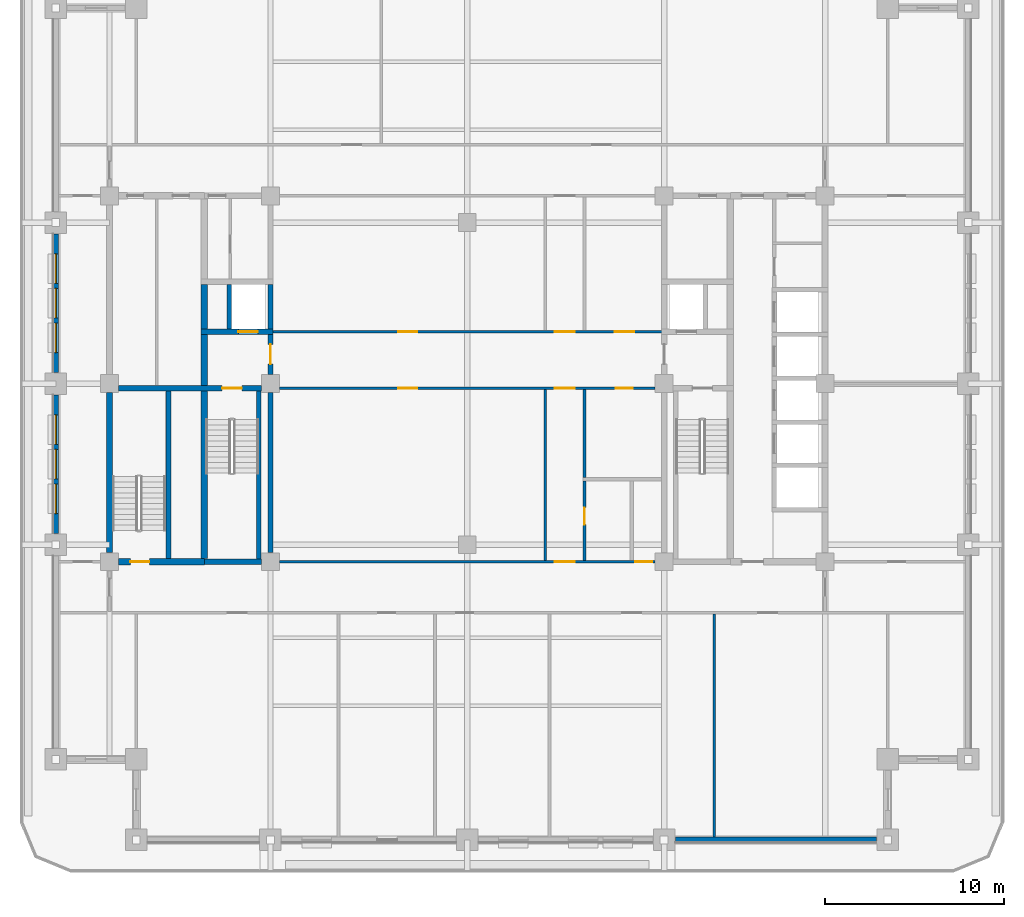
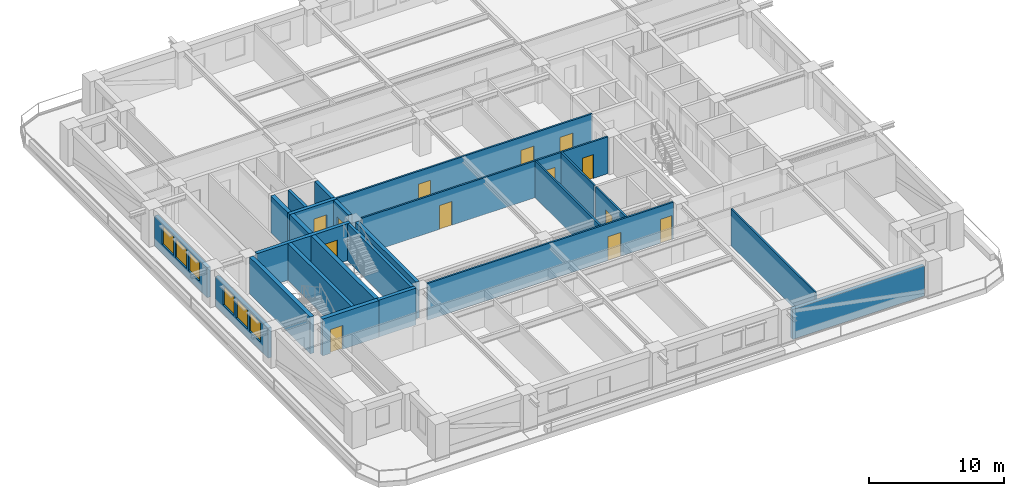
# One storey, part 3 of 13: 24 walls, 13 doors, 6 windows, 19 openings.
"""IFC4 building model written with IfcOpenShell, lengths in metres."""

from ifc_helpers import new_model, si_unit, direction, frame, frame_2d, origin, place, context, subcontext, project, spatial, rectangle, extrude, material, layer, layer_set, type_object, element, fill, save


model = new_model("IFC4")

# Units and contexts
model_context = context("Model", 3, precision=1e-05, world=origin(), true_north=direction((0.0, 1.0)))
body_context = subcontext(model_context, "Body", "Model", "MODEL_VIEW")
ifc_project = project(units=[si_unit("LENGTHUNIT", "METRE"), si_unit("AREAUNIT", "SQUARE_METRE"), si_unit("VOLUMEUNIT", "CUBIC_METRE"), si_unit("PLANEANGLEUNIT", "RADIAN"), si_unit("MASSUNIT", "GRAM", prefix="KILO")], contexts=[model_context])

# Site, building, storey
site_placement = place(None, origin())
site = spatial("IfcSite", under=ifc_project, at=site_placement, CompositionType="ELEMENT")
building_placement = place(site_placement, origin())
building = spatial("IfcBuilding", under=site, at=building_placement, Name="Zulmaris Gate Convention Tower", CompositionType="ELEMENT")
storey_placement = place(building_placement, frame((0.0, 0.0, 109.2099609375)))
storey = spatial("IfcBuildingStorey", under=building, at=storey_placement, Name="L27", CompositionType="ELEMENT", Elevation=109.2099609375)

# Walls
ifc_material_1 = material(Name="Concrete C50/60", Category="concrete")
ifc_layer_1 = layer(ifc_material_1, 0.25, Name="Concrete C50/60")
ifc_layer_set_1 = layer_set([ifc_layer_1], Name="Concrete C50/60")
wall_type_1 = type_object("IfcWallType", Name="CORE-250", PredefinedType="SOLIDWALL", material=ifc_layer_set_1)
wall_1_placement = place(storey_placement, frame((-13.300048828125, 3.052001953125, 0.0), z_axis=(0.0, 0.0, 1.0), x_axis=(0.0, 1.0, 0.0)))
element("IfcWall", 1, at=wall_1_placement, inside=storey, type_object=wall_type_1, Name="WL-L27-041", PredefinedType="SOLIDWALL", context=body_context, shape_type="SweptSolid", body=[
    extrude(rectangle(XDim=2.49609375, YDim=0.25, at=frame_2d((1.248046875, 0.0))), origin(), (0.0, 0.0, 1.0), 3.320068359375),
])
wall_2_placement = place(storey_placement, frame((-11.64990234375, -9.798095703125, 0.0), z_axis=(0.0, 0.0, 1.0), x_axis=(0.0, 1.0, 0.0)))
element("IfcWall", 2, at=wall_2_placement, inside=storey, type_object=wall_type_1, Name="WL-L27-042", PredefinedType="SOLIDWALL", context=body_context, shape_type="SweptSolid", body=[
    extrude(rectangle(XDim=9.39599609375, YDim=0.25, at=frame_2d((4.697998046875, 0.0))), origin(), (0.0, 0.0, 1.0), 3.320068359375),
])
ifc_layer_2 = layer(ifc_material_1, 0.300048828125, Name="Concrete C50/60")
ifc_layer_set_2 = layer_set([ifc_layer_2], Name="Concrete C50/60")
wall_type_2 = type_object("IfcWallType", Name="CORE-300", PredefinedType="SHEAR", material=ifc_layer_set_2)
wall_3_placement = place(storey_placement, frame((-14.699951171875, -9.949951171875, 0.0), z_axis=(0.0, 0.0, 1.0), x_axis=(1.0, 0.0, 0.0)))
element("IfcWall", 3, at=wall_3_placement, inside=storey, type_object=wall_type_2, Name="WL-L27-002", PredefinedType="SHEAR", context=body_context, shape_type="SweptSolid", body=[
    extrude(rectangle(XDim=3.196044921875, YDim=0.300048828125, at=frame_2d((1.59814453125, 0.0))), origin(), (0.0, 0.0, 1.0), 3.320068359375),
])

# Wall, opening, door
wall_4_placement = place(storey_placement, frame((-19.49609375, -0.25, 0.0), z_axis=(0.0, 0.0, 1.0), x_axis=(1.0, 0.0, 0.0)))
wall_4 = element("IfcWall", 4, at=wall_4_placement, inside=storey, type_object=wall_type_2, Name="WL-L27-008", PredefinedType="SHEAR", context=body_context, shape_type="SweptSolid", body=[
    extrude(rectangle(XDim=7.9921875, YDim=0.300048828125, at=frame_2d((3.99609375, 0.0))), origin(), (0.0, 0.0, 1.0), 3.320068359375),
])
opening_1_placement = place(wall_4_placement, frame((5.7958984375, 0.0, 0.0)))
opening_1 = element("IfcOpeningElement", 5, at=opening_1_placement, cuts=wall_4, Name="Opening D-08", PredefinedType="OPENING", context=body_context, shape_type="SweptSolid", body=[
    extrude(rectangle(XDim=1.10009765625, YDim=2.14990234375, at=frame_2d((0.550048828125, 1.074951171875))), frame((0.0, 0.16015625, 0.0), z_axis=(0.0, -1.0, 0.0), x_axis=(1.0, 0.0, 0.0)), (0.0, 0.0, 1.0), 0.320068359375),
])
ifc_material_2 = material(Name="Fire-Rated Steel", Category="steel")
door_type_1 = type_object("IfcDoorType", Name="DR-1100-FD", OperationType="NOTDEFINED", PredefinedType="DOOR", material=ifc_material_2)
door_1_placement = place(opening_1_placement, origin())
door_1 = element("IfcDoor", 6, at=door_1_placement, inside=storey, type_object=door_type_1, Name="L27 Exit Stair ST-1 Door 01", OperationType="SINGLE_SWING_LEFT", OverallHeight=2.14990234375, OverallWidth=1.10009765625, PredefinedType="DOOR", context=body_context, shape_type="SweptSolid", body=[
    extrude(rectangle(XDim=1.10009765625, YDim=2.14990234375, at=frame_2d((0.550048828125, 1.074951171875))), frame((0.0, 0.02490234375, 0.0), z_axis=(0.0, -1.0, 0.0), x_axis=(1.0, 0.0, 0.0)), (0.0, 0.0, 1.0), 0.050048828125),
])
fill(opening_1, door_1)

wall_5_placement = place(storey_placement, frame((-14.875, 2.89990234375, 0.0), z_axis=(0.0, 0.0, 1.0), x_axis=(1.0, 0.0, 0.0)))
wall_5 = element("IfcWall", 7, at=wall_5_placement, inside=storey, type_object=wall_type_2, Name="WL-L27-012", PredefinedType="SHEAR", context=body_context, shape_type="SweptSolid", body=[
    extrude(rectangle(XDim=4.02490234375, YDim=0.300048828125, at=frame_2d((2.012451171875, 0.0))), origin(), (0.0, 0.0, 1.0), 3.320068359375),
])
opening_2_placement = place(wall_5_placement, frame((2.074951171875, 0.0, 0.0)))
opening_2 = element("IfcOpeningElement", 8, at=opening_2_placement, cuts=wall_5, Name="Opening D-06", PredefinedType="OPENING", context=body_context, shape_type="SweptSolid", body=[
    extrude(rectangle(XDim=1.10009765625, YDim=2.199951171875, at=frame_2d((0.550048828125, 1.10009765625))), frame((0.0, 0.16015625, 0.0), z_axis=(0.0, -1.0, 0.0), x_axis=(1.0, 0.0, 0.0)), (0.0, 0.0, 1.0), 0.320068359375),
])
ifc_material_3 = material(Name="Brushed Stainless Steel", Category="steel")
door_type_2 = type_object("IfcDoorType", Name="LD-1100", OperationType="NOTDEFINED", PredefinedType="DOOR", material=ifc_material_3)
door_2_placement = place(opening_2_placement, origin())
door_2 = element("IfcDoor", 9, at=door_2_placement, inside=storey, type_object=door_type_2, Name="L27 Lift Landing Door LF-01 03", OperationType="SLIDING_TO_LEFT", OverallHeight=2.199951171875, OverallWidth=1.10009765625, PredefinedType="DOOR", context=body_context, shape_type="SweptSolid", body=[
    extrude(rectangle(XDim=1.10009765625, YDim=2.199951171875, at=frame_2d((0.550048828125, 1.10009765625))), frame((0.0, 0.02490234375, 0.0), z_axis=(0.0, -1.0, 0.0), x_axis=(1.0, 0.0, 0.0)), (0.0, 0.0, 1.0), 0.050048828125),
])
fill(opening_2, door_2)

# Walls
wall_6_placement = place(storey_placement, frame((-16.699951171875, -9.77294921875, 0.0), z_axis=(0.0, 0.0, 1.0), x_axis=(0.0, 1.0, 0.0)))
element("IfcWall", 10, at=wall_6_placement, inside=storey, type_object=wall_type_2, Name="WL-L27-036", PredefinedType="SHEAR", context=body_context, shape_type="SweptSolid", body=[
    extrude(rectangle(XDim=9.370849609375, YDim=0.300048828125, at=frame_2d((4.685546875, 0.0))), origin(), (0.0, 0.0, 1.0), 3.320068359375),
])
wall_7_placement = place(storey_placement, frame((-11.0, -9.446044921875, 0.0), z_axis=(0.0, 0.0, 1.0), x_axis=(0.0, 1.0, 0.0)))
element("IfcWall", 11, at=wall_7_placement, inside=storey, type_object=wall_type_2, Name="WL-L27-043", PredefinedType="SHEAR", context=body_context, shape_type="SweptSolid", body=[
    extrude(rectangle(XDim=8.942138671875, YDim=0.300048828125, at=frame_2d((4.47119140625, 0.0))), origin(), (0.0, 0.0, 1.0), 3.320068359375),
])

# Wall, opening, door
wall_8_placement = place(storey_placement, frame((-11.0, 0.50390625, 0.0), z_axis=(0.0, 0.0, 1.0), x_axis=(0.0, 1.0, 0.0)))
wall_8 = element("IfcWall", 12, at=wall_8_placement, inside=storey, type_object=wall_type_2, Name="WL-L27-044", PredefinedType="SHEAR", context=body_context, shape_type="SweptSolid", body=[
    extrude(rectangle(XDim=2.244140625, YDim=0.300048828125, at=frame_2d((1.1220703125, 0.0))), origin(), (0.0, 0.0, 1.0), 3.320068359375),
])
opening_3_placement = place(wall_8_placement, frame((0.595947265625, 0.0, 0.0)))
opening_3 = element("IfcOpeningElement", 13, at=opening_3_placement, cuts=wall_8, Name="Opening D-08", PredefinedType="OPENING", context=body_context, shape_type="SweptSolid", body=[
    extrude(rectangle(XDim=1.10009765625, YDim=2.14990234375, at=frame_2d((0.550048828125, 1.074951171875))), frame((0.0, 0.16015625, 0.0), z_axis=(0.0, -1.0, 0.0), x_axis=(1.0, 0.0, 0.0)), (0.0, 0.0, 1.0), 0.320068359375),
])
door_3_placement = place(opening_3_placement, origin())
door_3 = element("IfcDoor", 14, at=door_3_placement, inside=storey, type_object=door_type_1, Name="L27 West Firefighting Lobby Door 02", OperationType="SINGLE_SWING_RIGHT", OverallHeight=2.14990234375, OverallWidth=1.10009765625, PredefinedType="DOOR", context=body_context, shape_type="SweptSolid", body=[
    extrude(rectangle(XDim=1.10009765625, YDim=2.14990234375, at=frame_2d((0.550048828125, 1.074951171875))), frame((0.0, 0.02490234375, 0.0), z_axis=(0.0, -1.0, 0.0), x_axis=(1.0, 0.0, 0.0)), (0.0, 0.0, 1.0), 0.050048828125),
])
fill(opening_3, door_3)

# Wall
wall_9_placement = place(storey_placement, frame((-11.0, 3.052001953125, 0.0), z_axis=(0.0, 0.0, 1.0), x_axis=(0.0, 1.0, 0.0)))
element("IfcWall", 15, at=wall_9_placement, inside=storey, type_object=wall_type_2, Name="WL-L27-045", PredefinedType="SHEAR", context=body_context, shape_type="SweptSolid", body=[
    extrude(rectangle(XDim=2.49609375, YDim=0.300048828125, at=frame_2d((1.248046875, 0.0))), origin(), (0.0, 0.0, 1.0), 3.320068359375),
])

# Wall, opening, door
ifc_material_4 = material(Name="Concrete C55/67", Category="concrete")
ifc_layer_3 = layer(ifc_material_4, 0.35009765625, Name="Concrete C55/67")
ifc_layer_set_3 = layer_set([ifc_layer_3], Name="Concrete C55/67")
wall_type_3 = type_object("IfcWallType", Name="CORE-350", PredefinedType="SHEAR", material=ifc_layer_set_3)
wall_10_placement = place(storey_placement, frame((-19.49609375, -9.949951171875, 0.0), z_axis=(0.0, 0.0, 1.0), x_axis=(1.0, 0.0, 0.0)))
wall_10 = element("IfcWall", 16, at=wall_10_placement, inside=storey, type_object=wall_type_3, Name="WL-L27-001", PredefinedType="SHEAR", context=body_context, shape_type="SweptSolid", body=[
    extrude(rectangle(XDim=4.796142578125, YDim=0.35009765625, at=frame_2d((2.39794921875, 0.0))), origin(), (0.0, 0.0, 1.0), 3.320068359375),
])
opening_4_placement = place(wall_10_placement, frame((0.6708984375, 0.0, 0.0)))
opening_4 = element("IfcOpeningElement", 17, at=opening_4_placement, cuts=wall_10, Name="Opening D-09", PredefinedType="OPENING", context=body_context, shape_type="SweptSolid", body=[
    extrude(rectangle(XDim=1.050048828125, YDim=2.14990234375, at=frame_2d((0.52490234375, 1.074951171875))), frame((0.0, 0.18505859375, 0.0), z_axis=(0.0, -1.0, 0.0), x_axis=(1.0, 0.0, 0.0)), (0.0, 0.0, 1.0), 0.3701171875),
])
door_type_3 = type_object("IfcDoorType", Name="DR-1050-FD", OperationType="NOTDEFINED", PredefinedType="DOOR", material=ifc_material_2)
door_4_placement = place(opening_4_placement, origin())
door_4 = element("IfcDoor", 18, at=door_4_placement, inside=storey, type_object=door_type_3, Name="L27 Exit Stair ST-3 Door 10", OperationType="SINGLE_SWING_RIGHT", OverallHeight=2.14990234375, OverallWidth=1.050048828125, PredefinedType="DOOR", context=body_context, shape_type="SweptSolid", body=[
    extrude(rectangle(XDim=1.050048828125, YDim=2.14990234375, at=frame_2d((0.52490234375, 1.074951171875))), frame((0.0, 0.02490234375, 0.0), z_axis=(0.0, -1.0, 0.0), x_axis=(1.0, 0.0, 0.0)), (0.0, 0.0, 1.0), 0.050048828125),
])
fill(opening_4, door_4)

# Walls
wall_11_placement = place(storey_placement, frame((-20.0, -9.446044921875, 0.0), z_axis=(0.0, 0.0, 1.0), x_axis=(0.0, 1.0, 0.0)))
element("IfcWall", 19, at=wall_11_placement, inside=storey, type_object=wall_type_3, Name="WL-L27-034", PredefinedType="SHEAR", context=body_context, shape_type="SweptSolid", body=[
    extrude(rectangle(XDim=8.942138671875, YDim=0.35009765625, at=frame_2d((4.47119140625, 0.0))), origin(), (0.0, 0.0, 1.0), 3.320068359375),
])
wall_12_placement = place(storey_placement, frame((-14.699951171875, -9.77294921875, 0.0), z_axis=(0.0, 0.0, 1.0), x_axis=(0.0, 1.0, 0.0)))
element("IfcWall", 20, at=wall_12_placement, inside=storey, type_object=wall_type_3, Name="WL-L27-037", PredefinedType="SHEAR", context=body_context, shape_type="SweptSolid", body=[
    extrude(rectangle(XDim=9.370849609375, YDim=0.35009765625, at=frame_2d((4.685546875, 0.0))), origin(), (0.0, 0.0, 1.0), 3.320068359375),
])
wall_13_placement = place(storey_placement, frame((-14.699951171875, -0.097900390625, 0.0), z_axis=(0.0, 0.0, 1.0), x_axis=(0.0, 1.0, 0.0)))
element("IfcWall", 21, at=wall_13_placement, inside=storey, type_object=wall_type_3, Name="WL-L27-038", PredefinedType="SHEAR", context=body_context, shape_type="SweptSolid", body=[
    extrude(rectangle(XDim=2.845947265625, YDim=0.35009765625, at=frame_2d((1.4228515625, 0.0))), origin(), (0.0, 0.0, 1.0), 3.320068359375),
])
wall_14_placement = place(storey_placement, frame((-14.699951171875, 3.052001953125, 0.0), z_axis=(0.0, 0.0, 1.0), x_axis=(0.0, 1.0, 0.0)))
element("IfcWall", 22, at=wall_14_placement, inside=storey, type_object=wall_type_3, Name="WL-L27-039", PredefinedType="SHEAR", context=body_context, shape_type="SweptSolid", body=[
    extrude(rectangle(XDim=2.49609375, YDim=0.35009765625, at=frame_2d((1.248046875, 0.0))), origin(), (0.0, 0.0, 1.0), 3.320068359375),
])

# Wall, openings, doors
ifc_material_5 = material(Name="Gypsum Metal Stud Partition")
ifc_layer_4 = layer(ifc_material_5, 0.14990234375, Name="Gypsum Metal Stud Partition")
ifc_layer_set_4 = layer_set([ifc_layer_4], Name="Gypsum Metal Stud Partition")
wall_type_4 = type_object("IfcWallType", Name="PART-150", PredefinedType="PARTITIONING", material=ifc_layer_set_4)
wall_15_placement = place(storey_placement, frame((-10.493896484375, -9.949951171875, 0.0), z_axis=(0.0, 0.0, 1.0), x_axis=(1.0, 0.0, 0.0)))
wall_15 = element("IfcWall", 23, at=wall_15_placement, inside=storey, type_object=wall_type_4, Name="WL-L27-023", PredefinedType="PARTITIONING", context=body_context, shape_type="SweptSolid", body=[
    extrude(rectangle(XDim=20.98779296875, YDim=0.14990234375, at=frame_2d((10.493896484375, 0.0))), origin(), (0.0, 0.0, 1.0), 3.320068359375),
])
opening_5_placement = place(wall_15_placement, frame((15.39404296875, 0.0, 0.0)))
opening_5 = element("IfcOpeningElement", 24, at=opening_5_placement, cuts=wall_15, Name="Opening D-08", PredefinedType="OPENING", context=body_context, shape_type="SweptSolid", body=[
    extrude(rectangle(XDim=1.10009765625, YDim=2.14990234375, at=frame_2d((0.550048828125, 1.074951171875))), frame((0.0, 0.0849609375, 0.0), z_axis=(0.0, -1.0, 0.0), x_axis=(1.0, 0.0, 0.0)), (0.0, 0.0, 1.0), 0.169921875),
])
opening_6_placement = place(wall_15_placement, frame((19.887939453125, 0.0, 0.0)))
opening_6 = element("IfcOpeningElement", 25, at=opening_6_placement, cuts=wall_15, Name="Opening D-11", PredefinedType="OPENING", context=body_context, shape_type="SweptSolid", body=[
    extrude(rectangle(XDim=0.949951171875, YDim=2.14990234375, at=frame_2d((0.47509765625, 1.074951171875))), frame((0.0, 0.0849609375, 0.0), z_axis=(0.0, -1.0, 0.0), x_axis=(1.0, 0.0, 0.0)), (0.0, 0.0, 1.0), 0.169921875),
])
door_5_placement = place(opening_5_placement, origin())
door_5 = element("IfcDoor", 26, at=door_5_placement, inside=storey, type_object=door_type_1, Name="L27 South Gallery Link Door 22", OperationType="SINGLE_SWING_RIGHT", OverallHeight=2.14990234375, OverallWidth=1.10009765625, PredefinedType="DOOR", context=body_context, shape_type="SweptSolid", body=[
    extrude(rectangle(XDim=1.10009765625, YDim=2.14990234375, at=frame_2d((0.550048828125, 1.074951171875))), frame((0.0, 0.02490234375, 0.0), z_axis=(0.0, -1.0, 0.0), x_axis=(1.0, 0.0, 0.0)), (0.0, 0.0, 1.0), 0.050048828125),
])
fill(opening_5, door_5)
ifc_material_6 = material(Name="Fire-Rated Timber", Category="wood")
door_type_4 = type_object("IfcDoorType", Name="DR-950-FD", OperationType="NOTDEFINED", PredefinedType="DOOR", material=ifc_material_6)
door_6_placement = place(opening_6_placement, origin())
door_6 = element("IfcDoor", 27, at=door_6_placement, inside=storey, type_object=door_type_4, Name="L27 Vault Store Door 37", OperationType="SINGLE_SWING_LEFT", OverallHeight=2.14990234375, OverallWidth=0.949951171875, PredefinedType="DOOR", context=body_context, shape_type="SweptSolid", body=[
    extrude(rectangle(XDim=0.949951171875, YDim=2.14990234375, at=frame_2d((0.47509765625, 1.074951171875))), frame((0.0, 0.02490234375, 0.0), z_axis=(0.0, -1.0, 0.0), x_axis=(1.0, 0.0, 0.0)), (0.0, 0.0, 1.0), 0.050048828125),
])
fill(opening_6, door_6)

wall_16_placement = place(storey_placement, frame((-10.493896484375, -0.25, 0.0), z_axis=(0.0, 0.0, 1.0), x_axis=(1.0, 0.0, 0.0)))
wall_16 = element("IfcWall", 28, at=wall_16_placement, inside=storey, type_object=wall_type_4, Name="WL-L27-026", PredefinedType="PARTITIONING", context=body_context, shape_type="SweptSolid", body=[
    extrude(rectangle(XDim=20.98779296875, YDim=0.14990234375, at=frame_2d((10.493896484375, 0.0))), origin(), (0.0, 0.0, 1.0), 3.320068359375),
])
opening_7_placement = place(wall_16_placement, frame((15.39404296875, 0.0, 0.0)))
opening_7 = element("IfcOpeningElement", 29, at=opening_7_placement, cuts=wall_16, Name="Opening D-08", PredefinedType="OPENING", context=body_context, shape_type="SweptSolid", body=[
    extrude(rectangle(XDim=1.10009765625, YDim=2.14990234375, at=frame_2d((0.550048828125, 1.074951171875))), frame((0.0, 0.0849609375, 0.0), z_axis=(0.0, -1.0, 0.0), x_axis=(1.0, 0.0, 0.0)), (0.0, 0.0, 1.0), 0.169921875),
])
opening_8_placement = place(wall_16_placement, frame((6.638916015625, 0.0, 0.0)))
opening_8 = element("IfcOpeningElement", 30, at=opening_8_placement, cuts=wall_16, Name="Opening D-09", PredefinedType="OPENING", context=body_context, shape_type="SweptSolid", body=[
    extrude(rectangle(XDim=1.050048828125, YDim=2.14990234375, at=frame_2d((0.52490234375, 1.074951171875))), frame((0.0, 0.0849609375, 0.0), z_axis=(0.0, -1.0, 0.0), x_axis=(1.0, 0.0, 0.0)), (0.0, 0.0, 1.0), 0.169921875),
])
opening_9_placement = place(wall_16_placement, frame((18.799072265625, 0.0, 0.0)))
opening_9 = element("IfcOpeningElement", 31, at=opening_9_placement, cuts=wall_16, Name="Opening D-11", PredefinedType="OPENING", context=body_context, shape_type="SweptSolid", body=[
    extrude(rectangle(XDim=0.949951171875, YDim=2.14990234375, at=frame_2d((0.47509765625, 1.074951171875))), frame((0.0, 0.0849609375, 0.0), z_axis=(0.0, -1.0, 0.0), x_axis=(1.0, 0.0, 0.0)), (0.0, 0.0, 1.0), 0.169921875),
])
door_7_placement = place(opening_8_placement, origin())
door_7 = element("IfcDoor", 32, at=door_7_placement, inside=storey, type_object=door_type_3, Name="L27 Sky Library Door 34", OperationType="SINGLE_SWING_RIGHT", OverallHeight=2.14990234375, OverallWidth=1.050048828125, PredefinedType="DOOR", context=body_context, shape_type="SweptSolid", body=[
    extrude(rectangle(XDim=1.050048828125, YDim=2.14990234375, at=frame_2d((0.52490234375, 1.074951171875))), frame((0.0, 0.02490234375, 0.0), z_axis=(0.0, -1.0, 0.0), x_axis=(1.0, 0.0, 0.0)), (0.0, 0.0, 1.0), 0.050048828125),
])
fill(opening_8, door_7)
door_8_placement = place(opening_7_placement, origin())
door_8 = element("IfcDoor", 33, at=door_8_placement, inside=storey, type_object=door_type_1, Name="L27 Cross Spine South Door 24", OperationType="SINGLE_SWING_RIGHT", OverallHeight=2.14990234375, OverallWidth=1.10009765625, PredefinedType="DOOR", context=body_context, shape_type="SweptSolid", body=[
    extrude(rectangle(XDim=1.10009765625, YDim=2.14990234375, at=frame_2d((0.550048828125, 1.074951171875))), frame((0.0, 0.02490234375, 0.0), z_axis=(0.0, -1.0, 0.0), x_axis=(1.0, 0.0, 0.0)), (0.0, 0.0, 1.0), 0.050048828125),
])
fill(opening_7, door_8)
door_9_placement = place(opening_9_placement, origin())
door_9 = element("IfcDoor", 34, at=door_9_placement, inside=storey, type_object=door_type_4, Name="L27 Public WC Door 35", OperationType="SINGLE_SWING_LEFT", OverallHeight=2.14990234375, OverallWidth=0.949951171875, PredefinedType="DOOR", context=body_context, shape_type="SweptSolid", body=[
    extrude(rectangle(XDim=0.949951171875, YDim=2.14990234375, at=frame_2d((0.47509765625, 1.074951171875))), frame((0.0, 0.02490234375, 0.0), z_axis=(0.0, -1.0, 0.0), x_axis=(1.0, 0.0, 0.0)), (0.0, 0.0, 1.0), 0.050048828125),
])
fill(opening_9, door_9)

wall_17_placement = place(storey_placement, frame((-11.0, 2.89990234375, 0.0), z_axis=(0.0, 0.0, 1.0), x_axis=(1.0, 0.0, 0.0)))
wall_17 = element("IfcWall", 35, at=wall_17_placement, inside=storey, type_object=wall_type_4, Name="WL-L27-028", PredefinedType="PARTITIONING", context=body_context, shape_type="SweptSolid", body=[
    extrude(rectangle(XDim=22.0, YDim=0.14990234375, at=frame_2d((11.0, 0.0))), origin(), (0.0, 0.0, 1.0), 3.320068359375),
])
opening_10_placement = place(wall_17_placement, frame((15.89990234375, 0.0, 0.0)))
opening_10 = element("IfcOpeningElement", 36, at=opening_10_placement, cuts=wall_17, Name="Opening D-08", PredefinedType="OPENING", context=body_context, shape_type="SweptSolid", body=[
    extrude(rectangle(XDim=1.10009765625, YDim=2.14990234375, at=frame_2d((0.550048828125, 1.074951171875))), frame((0.0, 0.0849609375, 0.0), z_axis=(0.0, -1.0, 0.0), x_axis=(1.0, 0.0, 0.0)), (0.0, 0.0, 1.0), 0.169921875),
])
opening_11_placement = place(wall_17_placement, frame((7.14501953125, 0.0, 0.0)))
opening_11 = element("IfcOpeningElement", 37, at=opening_11_placement, cuts=wall_17, Name="Opening D-09", PredefinedType="OPENING", context=body_context, shape_type="SweptSolid", body=[
    extrude(rectangle(XDim=1.050048828125, YDim=2.14990234375, at=frame_2d((0.52490234375, 1.074951171875))), frame((0.0, 0.0849609375, 0.0), z_axis=(0.0, -1.0, 0.0), x_axis=(1.0, 0.0, 0.0)), (0.0, 0.0, 1.0), 0.169921875),
])
opening_12_placement = place(wall_17_placement, frame((19.22998046875, 0.0, 0.0)))
opening_12 = element("IfcOpeningElement", 38, at=opening_12_placement, cuts=wall_17, Name="Opening D-08", PredefinedType="OPENING", context=body_context, shape_type="SweptSolid", body=[
    extrude(rectangle(XDim=1.10009765625, YDim=2.14990234375, at=frame_2d((0.550048828125, 1.074951171875))), frame((0.0, 0.0849609375, 0.0), z_axis=(0.0, -1.0, 0.0), x_axis=(1.0, 0.0, 0.0)), (0.0, 0.0, 1.0), 0.169921875),
])
door_10_placement = place(opening_11_placement, origin())
door_10 = element("IfcDoor", 39, at=door_10_placement, inside=storey, type_object=door_type_3, Name="L27 Reception Door 32", OperationType="SINGLE_SWING_RIGHT", OverallHeight=2.14990234375, OverallWidth=1.050048828125, PredefinedType="DOOR", context=body_context, shape_type="SweptSolid", body=[
    extrude(rectangle(XDim=1.050048828125, YDim=2.14990234375, at=frame_2d((0.52490234375, 1.074951171875))), frame((0.0, 0.02490234375, 0.0), z_axis=(0.0, -1.0, 0.0), x_axis=(1.0, 0.0, 0.0)), (0.0, 0.0, 1.0), 0.050048828125),
])
fill(opening_11, door_10)
door_11_placement = place(opening_10_placement, origin())
door_11 = element("IfcDoor", 40, at=door_11_placement, inside=storey, type_object=door_type_1, Name="L27 Cross Spine North Door 23", OperationType="SINGLE_SWING_LEFT", OverallHeight=2.14990234375, OverallWidth=1.10009765625, PredefinedType="DOOR", context=body_context, shape_type="SweptSolid", body=[
    extrude(rectangle(XDim=1.10009765625, YDim=2.14990234375, at=frame_2d((0.550048828125, 1.074951171875))), frame((0.0, 0.02490234375, 0.0), z_axis=(0.0, -1.0, 0.0), x_axis=(1.0, 0.0, 0.0)), (0.0, 0.0, 1.0), 0.050048828125),
])
fill(opening_10, door_11)
door_12_placement = place(opening_12_placement, origin())
door_12 = element("IfcDoor", 41, at=door_12_placement, inside=storey, type_object=door_type_1, Name="L27 Townhall Forum Door 33", OperationType="SINGLE_SWING_LEFT", OverallHeight=2.14990234375, OverallWidth=1.10009765625, PredefinedType="DOOR", context=body_context, shape_type="SweptSolid", body=[
    extrude(rectangle(XDim=1.10009765625, YDim=2.14990234375, at=frame_2d((0.550048828125, 1.074951171875))), frame((0.0, 0.02490234375, 0.0), z_axis=(0.0, -1.0, 0.0), x_axis=(1.0, 0.0, 0.0)), (0.0, 0.0, 1.0), 0.050048828125),
])
fill(opening_12, door_12)

# Wall
wall_18_placement = place(storey_placement, frame((4.35009765625, -9.8720703125, 0.0), z_axis=(0.0, 0.0, 1.0), x_axis=(0.0, 1.0, 0.0)))
element("IfcWall", 42, at=wall_18_placement, inside=storey, type_object=wall_type_4, Name="WL-L27-078", PredefinedType="PARTITIONING", context=body_context, shape_type="SweptSolid", body=[
    extrude(rectangle(XDim=9.544189453125, YDim=0.14990234375, at=frame_2d((4.77197265625, 0.0))), origin(), (0.0, 0.0, 1.0), 3.320068359375),
])

# Wall, opening, door
wall_19_placement = place(storey_placement, frame((6.550048828125, -9.8720703125, 0.0), z_axis=(0.0, 0.0, 1.0), x_axis=(0.0, 1.0, 0.0)))
wall_19 = element("IfcWall", 43, at=wall_19_placement, inside=storey, type_object=wall_type_4, Name="WL-L27-081", PredefinedType="PARTITIONING", context=body_context, shape_type="SweptSolid", body=[
    extrude(rectangle(XDim=4.419189453125, YDim=0.14990234375, at=frame_2d((2.20947265625, 0.0))), origin(), (0.0, 0.0, 1.0), 3.320068359375),
])
opening_13_placement = place(wall_19_placement, frame((1.9970703125, 0.0, 0.0)))
opening_13 = element("IfcOpeningElement", 44, at=opening_13_placement, cuts=wall_19, Name="Opening D-11", PredefinedType="OPENING", context=body_context, shape_type="SweptSolid", body=[
    extrude(rectangle(XDim=0.949951171875, YDim=2.14990234375, at=frame_2d((0.47509765625, 1.074951171875))), frame((0.0, 0.0849609375, 0.0), z_axis=(0.0, -1.0, 0.0), x_axis=(1.0, 0.0, 0.0)), (0.0, 0.0, 1.0), 0.169921875),
])
door_13_placement = place(opening_13_placement, origin())
door_13 = element("IfcDoor", 45, at=door_13_placement, inside=storey, type_object=door_type_4, Name="L27 Accessible WC Door 36", OperationType="SINGLE_SWING_RIGHT", OverallHeight=2.14990234375, OverallWidth=0.949951171875, PredefinedType="DOOR", context=body_context, shape_type="SweptSolid", body=[
    extrude(rectangle(XDim=0.949951171875, YDim=2.14990234375, at=frame_2d((0.47509765625, 1.074951171875))), frame((0.0, 0.02490234375, 0.0), z_axis=(0.0, -1.0, 0.0), x_axis=(1.0, 0.0, 0.0)), (0.0, 0.0, 1.0), 0.050048828125),
])
fill(opening_13, door_13)

# Walls
wall_20_placement = place(storey_placement, frame((6.550048828125, -5.2470703125, 0.0), z_axis=(0.0, 0.0, 1.0), x_axis=(0.0, 1.0, 0.0)))
element("IfcWall", 46, at=wall_20_placement, inside=storey, type_object=wall_type_4, Name="WL-L27-082", PredefinedType="PARTITIONING", context=body_context, shape_type="SweptSolid", body=[
    extrude(rectangle(XDim=4.919189453125, YDim=0.14990234375, at=frame_2d((2.45947265625, 0.0))), origin(), (0.0, 0.0, 1.0), 3.320068359375),
])
wall_21_placement = place(storey_placement, frame((13.800048828125, -25.3349609375, 0.0), z_axis=(0.0, 0.0, 1.0), x_axis=(0.0, 1.0, 0.0)))
element("IfcWall", 47, at=wall_21_placement, inside=storey, type_object=wall_type_4, Name="WL-L27-085", PredefinedType="PARTITIONING", context=body_context, shape_type="SweptSolid", body=[
    extrude(rectangle(XDim=12.45703125, YDim=0.14990234375, at=frame_2d((6.228515625, 0.0))), origin(), (0.0, 0.0, 1.0), 3.320068359375),
])
ifc_material_7 = material(Name="Precast concrete C40/50", Category="concrete")
ifc_layer_5 = layer(ifc_material_7, 0.300048828125, Name="Precast concrete C40/50")
ifc_layer_set_5 = layer_set([ifc_layer_5], Name="Precast concrete C40/50")
wall_type_5 = type_object("IfcWallType", Name="PRECAST-PIER-300", PredefinedType="STANDARD", material=ifc_layer_set_5)
wall_22_placement = place(storey_placement, frame((11.6298828125, -25.5, 0.0), z_axis=(0.0, 0.0, 1.0), x_axis=(1.0, 0.0, 0.0)))
element("IfcWall", 48, at=wall_22_placement, inside=storey, type_object=wall_type_5, Name="EW-L27-S-3_0", PredefinedType="STANDARD", context=body_context, shape_type="SweptSolid", body=[
    extrude(rectangle(XDim=11.240234375, YDim=0.300048828125, at=frame_2d((5.6201171875, 0.0))), origin(), (0.0, 0.0, 1.0), 2.712158203125),
])

# Wall, openings, windows
wall_23_placement = place(storey_placement, frame((-23.0, -0.6298828125, 0.0), z_axis=(0.0, 0.0, 1.0), x_axis=(0.0, -1.0, 0.0)))
wall_23 = element("IfcWall", 49, at=wall_23_placement, inside=storey, type_object=wall_type_5, Name="EW-L27-W-1_0", PredefinedType="STANDARD", context=body_context, shape_type="SweptSolid", body=[
    extrude(rectangle(XDim=7.740234375, YDim=0.300048828125, at=frame_2d((3.8701171875, 0.0))), origin(), (0.0, 0.0, 1.0), 2.712158203125),
])
opening_14_placement = place(wall_23_placement, frame((1.110107421875, 0.0, 0.800048828125)))
opening_14 = element("IfcOpeningElement", 50, at=opening_14_placement, cuts=wall_23, Name="Opening W-08", PredefinedType="OPENING", context=body_context, shape_type="SweptSolid", body=[
    extrude(rectangle(XDim=1.64990234375, YDim=1.699951171875, at=frame_2d((0.824951171875, 0.85009765625))), frame((0.0, 0.16015625, 0.0), z_axis=(0.0, -1.0, 0.0), x_axis=(1.0, 0.0, 0.0)), (0.0, 0.0, 1.0), 0.320068359375),
])
opening_15_placement = place(wall_23_placement, frame((3.044921875, 0.0, 0.800048828125)))
opening_15 = element("IfcOpeningElement", 51, at=opening_15_placement, cuts=wall_23, Name="Opening W-08", PredefinedType="OPENING", context=body_context, shape_type="SweptSolid", body=[
    extrude(rectangle(XDim=1.64990234375, YDim=1.699951171875, at=frame_2d((0.824951171875, 0.85009765625))), frame((0.0, 0.16015625, 0.0), z_axis=(0.0, -1.0, 0.0), x_axis=(1.0, 0.0, 0.0)), (0.0, 0.0, 1.0), 0.320068359375),
])
opening_16_placement = place(wall_23_placement, frame((4.97998046875, 0.0, 0.800048828125)))
opening_16 = element("IfcOpeningElement", 52, at=opening_16_placement, cuts=wall_23, Name="Opening W-08", PredefinedType="OPENING", context=body_context, shape_type="SweptSolid", body=[
    extrude(rectangle(XDim=1.64990234375, YDim=1.699951171875, at=frame_2d((0.824951171875, 0.85009765625))), frame((0.0, 0.16015625, 0.0), z_axis=(0.0, -1.0, 0.0), x_axis=(1.0, 0.0, 0.0)), (0.0, 0.0, 1.0), 0.320068359375),
])
ifc_material_8 = material(Name="Low-E Laminated Double Glazing in Aluminium Frame", Category="aluminium")
window_type = type_object("IfcWindowType", Name="WIN-1650x2150", PartitioningType="SINGLE_PANEL", PredefinedType="WINDOW", material=ifc_material_8)
window_1_placement = place(opening_14_placement, origin())
window_1 = element("IfcWindow", 53, at=window_1_placement, inside=storey, type_object=window_type, Name="WN-EW-L27-W-1_0-1", OverallHeight=1.699951171875, OverallWidth=1.64990234375, PartitioningType="SINGLE_PANEL", PredefinedType="WINDOW", context=body_context, shape_type="SweptSolid", body=[
    extrude(rectangle(XDim=1.64990234375, YDim=1.699951171875, at=frame_2d((0.824951171875, 0.85009765625))), frame((0.0, 0.030029296875, 0.0), z_axis=(0.0, -1.0, 0.0), x_axis=(1.0, 0.0, 0.0)), (0.0, 0.0, 1.0), 0.06005859375),
])
fill(opening_14, window_1)
window_2_placement = place(opening_15_placement, origin())
window_2 = element("IfcWindow", 54, at=window_2_placement, inside=storey, type_object=window_type, Name="WN-EW-L27-W-1_0-2", OverallHeight=1.699951171875, OverallWidth=1.64990234375, PartitioningType="SINGLE_PANEL", PredefinedType="WINDOW", context=body_context, shape_type="SweptSolid", body=[
    extrude(rectangle(XDim=1.64990234375, YDim=1.699951171875, at=frame_2d((0.824951171875, 0.85009765625))), frame((0.0, 0.030029296875, 0.0), z_axis=(0.0, -1.0, 0.0), x_axis=(1.0, 0.0, 0.0)), (0.0, 0.0, 1.0), 0.06005859375),
])
fill(opening_15, window_2)
window_3_placement = place(opening_16_placement, origin())
window_3 = element("IfcWindow", 55, at=window_3_placement, inside=storey, type_object=window_type, Name="WN-EW-L27-W-1_0-3", OverallHeight=1.699951171875, OverallWidth=1.64990234375, PartitioningType="SINGLE_PANEL", PredefinedType="WINDOW", context=body_context, shape_type="SweptSolid", body=[
    extrude(rectangle(XDim=1.64990234375, YDim=1.699951171875, at=frame_2d((0.824951171875, 0.85009765625))), frame((0.0, 0.030029296875, 0.0), z_axis=(0.0, -1.0, 0.0), x_axis=(1.0, 0.0, 0.0)), (0.0, 0.0, 1.0), 0.06005859375),
])
fill(opening_16, window_3)

wall_24_placement = place(storey_placement, frame((-23.0, 8.3701171875, 0.0), z_axis=(0.0, 0.0, 1.0), x_axis=(0.0, -1.0, 0.0)))
wall_24 = element("IfcWall", 56, at=wall_24_placement, inside=storey, type_object=wall_type_5, Name="EW-L27-W-2_0", PredefinedType="STANDARD", context=body_context, shape_type="SweptSolid", body=[
    extrude(rectangle(XDim=7.740234375, YDim=0.300048828125, at=frame_2d((3.8701171875, 0.0))), origin(), (0.0, 0.0, 1.0), 2.712158203125),
])
opening_17_placement = place(wall_24_placement, frame((1.110107421875, 0.0, 0.800048828125)))
opening_17 = element("IfcOpeningElement", 57, at=opening_17_placement, cuts=wall_24, Name="Opening W-08", PredefinedType="OPENING", context=body_context, shape_type="SweptSolid", body=[
    extrude(rectangle(XDim=1.64990234375, YDim=1.699951171875, at=frame_2d((0.824951171875, 0.85009765625))), frame((0.0, 0.16015625, 0.0), z_axis=(0.0, -1.0, 0.0), x_axis=(1.0, 0.0, 0.0)), (0.0, 0.0, 1.0), 0.320068359375),
])
opening_18_placement = place(wall_24_placement, frame((3.044921875, 0.0, 0.800048828125)))
opening_18 = element("IfcOpeningElement", 58, at=opening_18_placement, cuts=wall_24, Name="Opening W-08", PredefinedType="OPENING", context=body_context, shape_type="SweptSolid", body=[
    extrude(rectangle(XDim=1.64990234375, YDim=1.699951171875, at=frame_2d((0.824951171875, 0.85009765625))), frame((0.0, 0.16015625, 0.0), z_axis=(0.0, -1.0, 0.0), x_axis=(1.0, 0.0, 0.0)), (0.0, 0.0, 1.0), 0.320068359375),
])
opening_19_placement = place(wall_24_placement, frame((4.97998046875, 0.0, 0.800048828125)))
opening_19 = element("IfcOpeningElement", 59, at=opening_19_placement, cuts=wall_24, Name="Opening W-08", PredefinedType="OPENING", context=body_context, shape_type="SweptSolid", body=[
    extrude(rectangle(XDim=1.64990234375, YDim=1.699951171875, at=frame_2d((0.824951171875, 0.85009765625))), frame((0.0, 0.16015625, 0.0), z_axis=(0.0, -1.0, 0.0), x_axis=(1.0, 0.0, 0.0)), (0.0, 0.0, 1.0), 0.320068359375),
])
window_4_placement = place(opening_17_placement, origin())
window_4 = element("IfcWindow", 60, at=window_4_placement, inside=storey, type_object=window_type, Name="WN-EW-L27-W-2_0-1", OverallHeight=1.699951171875, OverallWidth=1.64990234375, PartitioningType="SINGLE_PANEL", PredefinedType="WINDOW", context=body_context, shape_type="SweptSolid", body=[
    extrude(rectangle(XDim=1.64990234375, YDim=1.699951171875, at=frame_2d((0.824951171875, 0.85009765625))), frame((0.0, 0.030029296875, 0.0), z_axis=(0.0, -1.0, 0.0), x_axis=(1.0, 0.0, 0.0)), (0.0, 0.0, 1.0), 0.06005859375),
])
fill(opening_17, window_4)
window_5_placement = place(opening_18_placement, origin())
window_5 = element("IfcWindow", 61, at=window_5_placement, inside=storey, type_object=window_type, Name="WN-EW-L27-W-2_0-2", OverallHeight=1.699951171875, OverallWidth=1.64990234375, PartitioningType="SINGLE_PANEL", PredefinedType="WINDOW", context=body_context, shape_type="SweptSolid", body=[
    extrude(rectangle(XDim=1.64990234375, YDim=1.699951171875, at=frame_2d((0.824951171875, 0.85009765625))), frame((0.0, 0.030029296875, 0.0), z_axis=(0.0, -1.0, 0.0), x_axis=(1.0, 0.0, 0.0)), (0.0, 0.0, 1.0), 0.06005859375),
])
fill(opening_18, window_5)
window_6_placement = place(opening_19_placement, origin())
window_6 = element("IfcWindow", 62, at=window_6_placement, inside=storey, type_object=window_type, Name="WN-EW-L27-W-2_0-3", OverallHeight=1.699951171875, OverallWidth=1.64990234375, PartitioningType="SINGLE_PANEL", PredefinedType="WINDOW", context=body_context, shape_type="SweptSolid", body=[
    extrude(rectangle(XDim=1.64990234375, YDim=1.699951171875, at=frame_2d((0.824951171875, 0.85009765625))), frame((0.0, 0.030029296875, 0.0), z_axis=(0.0, -1.0, 0.0), x_axis=(1.0, 0.0, 0.0)), (0.0, 0.0, 1.0), 0.06005859375),
])
fill(opening_19, window_6)

save(model, "model.ifc")
